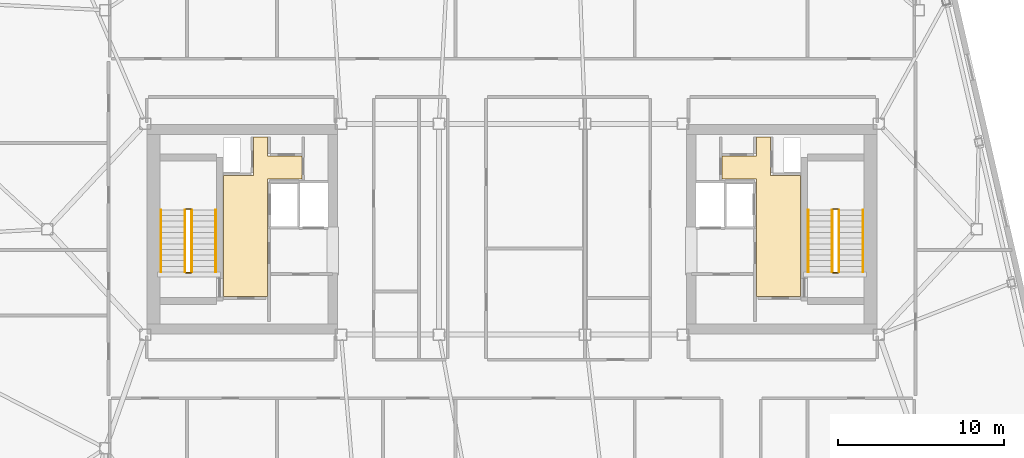
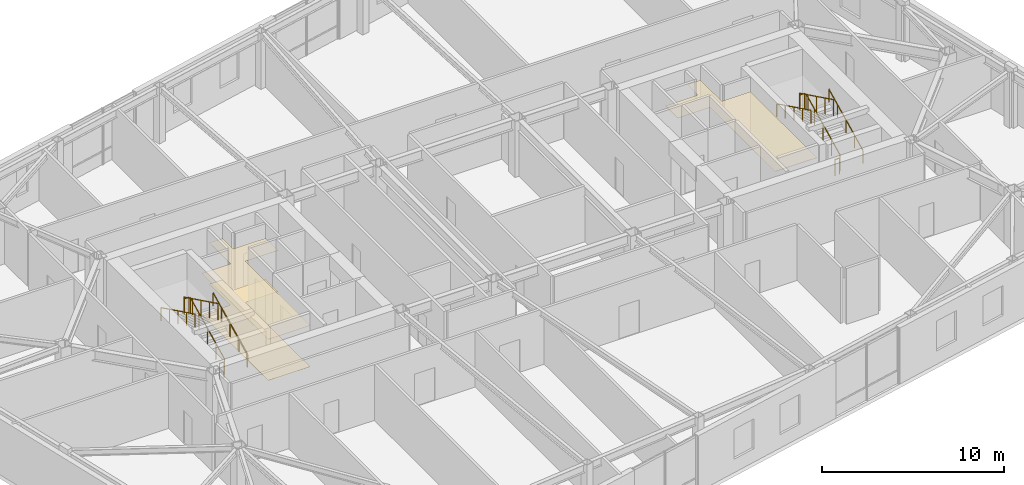
# One storey, part 23 of 23: 12 railings, 3 coverings.
"""IFC4 building model written with IfcOpenShell, lengths in metres."""

from ifc_helpers import new_model, si_unit, direction, frame, origin, origin_2d, place, context, subcontext, project, spatial, polyline, rectangle, outline, extrude, material, layer, layer_set, type_object, element, save


model = new_model("IFC4")

# Units and contexts
model_context = context("Model", 3, precision=1e-05, world=origin(), true_north=direction((0.0, 1.0)))
body_context = subcontext(model_context, "Body", "Model", "MODEL_VIEW")
ifc_project = project(units=[si_unit("LENGTHUNIT", "METRE"), si_unit("AREAUNIT", "SQUARE_METRE"), si_unit("VOLUMEUNIT", "CUBIC_METRE"), si_unit("PLANEANGLEUNIT", "RADIAN"), si_unit("MASSUNIT", "GRAM", prefix="KILO")], contexts=[model_context])

# Site, building, storey
site_placement = place(None, origin())
site = spatial("IfcSite", under=ifc_project, at=site_placement, CompositionType="ELEMENT")
building_placement = place(site_placement, origin())
building = spatial("IfcBuilding", under=site, at=building_placement, Name="Tavrogorsk Clinical Tower", CompositionType="ELEMENT")
storey_placement = place(building_placement, frame((0.0, 0.0, 293.0)))
storey = spatial("IfcBuildingStorey", under=building, at=storey_placement, Name="L68", CompositionType="ELEMENT", Elevation=293.0)

# Coverings
ifc_material_1 = material(Name="Antibacterial micro-perforated aluminium ceiling", Category="aluminium")
ifc_layer_1 = layer(ifc_material_1, 0.014892578125)
ifc_layer_set_1 = layer_set([ifc_layer_1], Name="Antibacterial micro-perforated aluminium ceiling")
covering_type_1 = type_object("IfcCoveringType", Name="ClinicalCeiling_15", PredefinedType="CEILING", material=ifc_layer_set_1)
covering_1_placement = place(storey_placement, frame((0.0, 0.0, 2.75)))
element("IfcCovering", 1, at=covering_1_placement, inside=storey, type_object=covering_type_1, Name="Core West Firefighting Lift Lobby Acoustic Ceiling", PredefinedType="CEILING", context=body_context, shape_type="SweptSolid", body=[
    extrude(outline(polyline([(-17.3798828125, -4.06005859375), (-17.3798828125, 3.239990234375), (-15.56005859375, 3.239990234375), (-15.56005859375, 5.56005859375), (-14.719970703125, 5.56005859375), (-14.719970703125, 4.39990234375), (-12.659912109375, 4.39990234375), (-12.659912109375, 3.0400390625), (-14.719970703125, 3.0400390625), (-14.719970703125, -4.06005859375), (-17.3798828125, -4.06005859375)])), origin(), (0.0, 0.0, 1.0), 0.014892578125),
])
covering_2_placement = place(storey_placement, frame((0.0, 0.0, 2.75)))
element("IfcCovering", 2, at=covering_2_placement, inside=storey, type_object=covering_type_1, Name="Core East Firefighting Lift Lobby Acoustic Ceiling", PredefinedType="CEILING", context=body_context, shape_type="SweptSolid", body=[
    extrude(outline(polyline([(14.719970703125, 3.0400390625), (12.659912109375, 3.0400390625), (12.659912109375, 4.39990234375), (14.719970703125, 4.39990234375), (14.719970703125, 5.56005859375), (15.56005859375, 5.56005859375), (15.56005859375, 3.239990234375), (17.3798828125, 3.239990234375), (17.3798828125, -4.06005859375), (14.719970703125, -4.06005859375), (14.719970703125, 3.0400390625)])), origin(), (0.0, 0.0, 1.0), 0.014892578125),
])
ifc_material_2 = material(Name="Homogeneous medical conductive PVC flooring")
ifc_layer_2 = layer(ifc_material_2, 0.008056640625)
ifc_layer_set_2 = layer_set([ifc_layer_2], Name="Homogeneous medical conductive PVC flooring")
covering_type_2 = type_object("IfcCoveringType", Name="ResilientVinylFloor_8", PredefinedType="FLOORING", material=ifc_layer_set_2)
covering_3_placement = place(storey_placement, origin())
element("IfcCovering", 3, at=covering_3_placement, inside=storey, type_object=covering_type_2, Name="Core West Firefighting Lift Lobby Conductive Vinyl Flooring", PredefinedType="FLOORING", context=body_context, shape_type="SweptSolid", body=[
    extrude(outline(polyline([(-17.3798828125, -4.06005859375), (-17.3798828125, 3.239990234375), (-15.56005859375, 3.239990234375), (-15.56005859375, 5.56005859375), (-14.719970703125, 5.56005859375), (-14.719970703125, 4.39990234375), (-12.659912109375, 4.39990234375), (-12.659912109375, 3.0400390625), (-14.719970703125, 3.0400390625), (-14.719970703125, -4.06005859375), (-17.3798828125, -4.06005859375)])), origin(), (0.0, 0.0, 1.0), 0.008056640625),
])

# Railings
ifc_material_3 = material(Name="Galvanised steel S355 safety stairwell guard", Category="steel")
ifc_layer_3 = layer(ifc_material_3, 0.06005859375)
ifc_layer_set_3 = layer_set([ifc_layer_3], Name="Galvanised steel S355 safety stairwell guard")
railing_type_1 = type_object("IfcRailingType", Name="StairGuard_1150", PredefinedType="GUARDRAIL", material=ifc_layer_set_3)
railing_1_placement = place(storey_placement, frame((-19.300048828125, -2.574951171875, 0.166748046875)))
element("IfcRailing", 4, at=railing_1_placement, inside=storey, type_object=railing_type_1, Name="L68 ST-W stair guard 1", PredefinedType="GUARDRAIL", context=body_context, shape_type="SweptSolid", body=[
    extrude(rectangle(XDim=0.048095703125, YDim=0.048095703125, at=origin_2d()), frame((0.0, 0.0, 1.076171875), z_axis=(0.0, 0.897927990467, 0.440142390523), x_axis=(-1.0, 0.0, 0.0)), (0.0, 0.0, 1.0), 4.1650390625),
    extrude(rectangle(XDim=0.0419921875, YDim=0.0419921875, at=origin_2d()), origin(), (0.0, 0.0, 1.0), 1.052001953125),
    extrude(rectangle(XDim=0.0419921875, YDim=0.0419921875, at=origin_2d()), frame((0.0, 0.93505859375, 0.458251953125)), (0.0, 0.0, 1.0), 1.052001953125),
    extrude(rectangle(XDim=0.0419921875, YDim=0.0419921875, at=origin_2d()), frame((0.0, 1.8701171875, 0.91650390625)), (0.0, 0.0, 1.0), 1.052001953125),
    extrude(rectangle(XDim=0.0419921875, YDim=0.0419921875, at=origin_2d()), frame((0.0, 2.804931640625, 1.375)), (0.0, 0.0, 1.0), 1.052001953125),
    extrude(rectangle(XDim=0.0419921875, YDim=0.0419921875, at=origin_2d()), frame((0.0, 3.739990234375, 1.833251953125)), (0.0, 0.0, 1.0), 1.052001953125),
])
railing_2_placement = place(storey_placement, frame((-19.35009765625, 1.215087890625, 2.0)))
element("IfcRailing", 5, at=railing_2_placement, inside=storey, type_object=railing_type_1, Name="L68 ST-W stair guard 2", PredefinedType="GUARDRAIL", context=body_context, shape_type="SweptSolid", body=[
    extrude(rectangle(XDim=0.048095703125, YDim=0.048095703125, at=origin_2d()), frame((0.0, 0.0, 1.076171875), z_axis=(-1.0, 0.0, 0.0), x_axis=(0.0, -1.0, 0.0)), (0.0, 0.0, 1.0), 0.2998046875),
    extrude(rectangle(XDim=0.0419921875, YDim=0.0419921875, at=origin_2d()), origin(), (0.0, 0.0, 1.0), 1.052001953125),
    extrude(rectangle(XDim=0.0419921875, YDim=0.0419921875, at=origin_2d()), frame((-0.2998046875, 0.0, 0.0)), (0.0, 0.0, 1.0), 1.052001953125),
])
railing_3_placement = place(storey_placement, frame((-19.699951171875, 1.1650390625, 2.166748046875)))
element("IfcRailing", 6, at=railing_3_placement, inside=storey, type_object=railing_type_1, Name="L68 ST-W stair guard 3", PredefinedType="GUARDRAIL", context=body_context, shape_type="SweptSolid", body=[
    extrude(rectangle(XDim=0.048095703125, YDim=0.048095703125, at=origin_2d()), frame((0.0, 0.0, 1.076171875), z_axis=(0.0, -0.897927990467, 0.440142390523), x_axis=(1.0, 0.0, 0.0)), (0.0, 0.0, 1.0), 4.1650390625),
    extrude(rectangle(XDim=0.0419921875, YDim=0.0419921875, at=origin_2d()), origin(), (0.0, 0.0, 1.0), 1.052001953125),
    extrude(rectangle(XDim=0.0419921875, YDim=0.0419921875, at=origin_2d()), frame((0.0, -0.93505859375, 0.458251953125)), (0.0, 0.0, 1.0), 1.052001953125),
    extrude(rectangle(XDim=0.0419921875, YDim=0.0419921875, at=origin_2d()), frame((0.0, -1.8701171875, 0.91650390625)), (0.0, 0.0, 1.0), 1.052001953125),
    extrude(rectangle(XDim=0.0419921875, YDim=0.0419921875, at=origin_2d()), frame((0.0, -2.804931640625, 1.375)), (0.0, 0.0, 1.0), 1.052001953125),
    extrude(rectangle(XDim=0.0419921875, YDim=0.0419921875, at=origin_2d()), frame((0.0, -3.739990234375, 1.833251953125)), (0.0, 0.0, 1.0), 1.052001953125),
])
railing_4_placement = place(storey_placement, frame((-19.35009765625, -2.625, 0.0)))
element("IfcRailing", 7, at=railing_4_placement, inside=storey, type_object=railing_type_1, Name="L68 ST-W stair guard 4", PredefinedType="GUARDRAIL", context=body_context, shape_type="SweptSolid", body=[
    extrude(rectangle(XDim=0.048095703125, YDim=0.048095703125, at=origin_2d()), frame((0.0, 0.0, 1.076171875), z_axis=(-1.0, 0.0, 0.0), x_axis=(0.0, -1.0, 0.0)), (0.0, 0.0, 1.0), 0.2998046875),
    extrude(rectangle(XDim=0.0419921875, YDim=0.0419921875, at=origin_2d()), origin(), (0.0, 0.0, 1.0), 1.052001953125),
    extrude(rectangle(XDim=0.0419921875, YDim=0.0419921875, at=origin_2d()), frame((-0.2998046875, 0.0, 0.0)), (0.0, 0.0, 1.0), 1.052001953125),
])
railing_5_placement = place(storey_placement, frame((19.699951171875, -2.574951171875, 0.166748046875)))
element("IfcRailing", 8, at=railing_5_placement, inside=storey, type_object=railing_type_1, Name="L68 ST-E stair guard 1", PredefinedType="GUARDRAIL", context=body_context, shape_type="SweptSolid", body=[
    extrude(rectangle(XDim=0.048095703125, YDim=0.048095703125, at=origin_2d()), frame((0.0, 0.0, 1.076171875), z_axis=(0.0, 0.897927990467, 0.440142390523), x_axis=(-1.0, 0.0, 0.0)), (0.0, 0.0, 1.0), 4.1650390625),
    extrude(rectangle(XDim=0.0419921875, YDim=0.0419921875, at=origin_2d()), origin(), (0.0, 0.0, 1.0), 1.052001953125),
    extrude(rectangle(XDim=0.0419921875, YDim=0.0419921875, at=origin_2d()), frame((0.0, 0.93505859375, 0.458251953125)), (0.0, 0.0, 1.0), 1.052001953125),
    extrude(rectangle(XDim=0.0419921875, YDim=0.0419921875, at=origin_2d()), frame((0.0, 1.8701171875, 0.91650390625)), (0.0, 0.0, 1.0), 1.052001953125),
    extrude(rectangle(XDim=0.0419921875, YDim=0.0419921875, at=origin_2d()), frame((0.0, 2.804931640625, 1.375)), (0.0, 0.0, 1.0), 1.052001953125),
    extrude(rectangle(XDim=0.0419921875, YDim=0.0419921875, at=origin_2d()), frame((0.0, 3.739990234375, 1.833251953125)), (0.0, 0.0, 1.0), 1.052001953125),
])
railing_6_placement = place(storey_placement, frame((19.64990234375, 1.215087890625, 2.0)))
element("IfcRailing", 9, at=railing_6_placement, inside=storey, type_object=railing_type_1, Name="L68 ST-E stair guard 2", PredefinedType="GUARDRAIL", context=body_context, shape_type="SweptSolid", body=[
    extrude(rectangle(XDim=0.048095703125, YDim=0.048095703125, at=origin_2d()), frame((0.0, 0.0, 1.076171875), z_axis=(-1.0, 0.0, 0.0), x_axis=(0.0, -1.0, 0.0)), (0.0, 0.0, 1.0), 0.2998046875),
    extrude(rectangle(XDim=0.0419921875, YDim=0.0419921875, at=origin_2d()), origin(), (0.0, 0.0, 1.0), 1.052001953125),
    extrude(rectangle(XDim=0.0419921875, YDim=0.0419921875, at=origin_2d()), frame((-0.2998046875, 0.0, 0.0)), (0.0, 0.0, 1.0), 1.052001953125),
])
railing_7_placement = place(storey_placement, frame((19.300048828125, 1.1650390625, 2.166748046875)))
element("IfcRailing", 10, at=railing_7_placement, inside=storey, type_object=railing_type_1, Name="L68 ST-E stair guard 3", PredefinedType="GUARDRAIL", context=body_context, shape_type="SweptSolid", body=[
    extrude(rectangle(XDim=0.048095703125, YDim=0.048095703125, at=origin_2d()), frame((0.0, 0.0, 1.076171875), z_axis=(0.0, -0.897927990467, 0.440142390523), x_axis=(1.0, 0.0, 0.0)), (0.0, 0.0, 1.0), 4.1650390625),
    extrude(rectangle(XDim=0.0419921875, YDim=0.0419921875, at=origin_2d()), origin(), (0.0, 0.0, 1.0), 1.052001953125),
    extrude(rectangle(XDim=0.0419921875, YDim=0.0419921875, at=origin_2d()), frame((0.0, -0.93505859375, 0.458251953125)), (0.0, 0.0, 1.0), 1.052001953125),
    extrude(rectangle(XDim=0.0419921875, YDim=0.0419921875, at=origin_2d()), frame((0.0, -1.8701171875, 0.91650390625)), (0.0, 0.0, 1.0), 1.052001953125),
    extrude(rectangle(XDim=0.0419921875, YDim=0.0419921875, at=origin_2d()), frame((0.0, -2.804931640625, 1.375)), (0.0, 0.0, 1.0), 1.052001953125),
    extrude(rectangle(XDim=0.0419921875, YDim=0.0419921875, at=origin_2d()), frame((0.0, -3.739990234375, 1.833251953125)), (0.0, 0.0, 1.0), 1.052001953125),
])
railing_8_placement = place(storey_placement, frame((19.64990234375, -2.625, 0.0)))
element("IfcRailing", 11, at=railing_8_placement, inside=storey, type_object=railing_type_1, Name="L68 ST-E stair guard 4", PredefinedType="GUARDRAIL", context=body_context, shape_type="SweptSolid", body=[
    extrude(rectangle(XDim=0.048095703125, YDim=0.048095703125, at=origin_2d()), frame((0.0, 0.0, 1.076171875), z_axis=(-1.0, 0.0, 0.0), x_axis=(0.0, -1.0, 0.0)), (0.0, 0.0, 1.0), 0.2998046875),
    extrude(rectangle(XDim=0.0419921875, YDim=0.0419921875, at=origin_2d()), origin(), (0.0, 0.0, 1.0), 1.052001953125),
    extrude(rectangle(XDim=0.0419921875, YDim=0.0419921875, at=origin_2d()), frame((-0.2998046875, 0.0, 0.0)), (0.0, 0.0, 1.0), 1.052001953125),
])
ifc_material_4 = material(Name="Stainless steel AISI 304 tubular handrail", Category="steel")
ifc_layer_4 = layer(ifc_material_4, 0.050048828125)
ifc_layer_set_4 = layer_set([ifc_layer_4], Name="Stainless steel AISI 304 tubular handrail")
railing_type_2 = type_object("IfcRailingType", Name="StairHandrail_920", PredefinedType="HANDRAIL", material=ifc_layer_set_4)
railing_9_placement = place(storey_placement, frame((-17.85009765625, -2.574951171875, 0.166748046875)))
element("IfcRailing", 12, at=railing_9_placement, inside=storey, type_object=railing_type_2, Name="L68 ST-W stair handrail 1", PredefinedType="HANDRAIL", context=body_context, shape_type="SweptSolid", body=[
    extrude(rectangle(XDim=0.048095703125, YDim=0.048095703125, at=origin_2d()), frame((0.0, 0.0, 0.8759765625), z_axis=(0.0, 0.897927990467, 0.440142390523), x_axis=(-1.0, 0.0, 0.0)), (0.0, 0.0, 1.0), 4.1650390625),
    extrude(rectangle(XDim=0.0419921875, YDim=0.0419921875, at=origin_2d()), origin(), (0.0, 0.0, 1.0), 0.851806640625),
    extrude(rectangle(XDim=0.0419921875, YDim=0.0419921875, at=origin_2d()), frame((0.0, 0.93505859375, 0.458251953125)), (0.0, 0.0, 1.0), 0.851806640625),
    extrude(rectangle(XDim=0.0419921875, YDim=0.0419921875, at=origin_2d()), frame((0.0, 1.8701171875, 0.91650390625)), (0.0, 0.0, 1.0), 0.851806640625),
    extrude(rectangle(XDim=0.0419921875, YDim=0.0419921875, at=origin_2d()), frame((0.0, 2.804931640625, 1.375)), (0.0, 0.0, 1.0), 0.851806640625),
    extrude(rectangle(XDim=0.0419921875, YDim=0.0419921875, at=origin_2d()), frame((0.0, 3.739990234375, 1.833251953125)), (0.0, 0.0, 1.0), 0.851806640625),
])
railing_10_placement = place(storey_placement, frame((-21.14990234375, 1.1650390625, 2.166748046875)))
element("IfcRailing", 13, at=railing_10_placement, inside=storey, type_object=railing_type_2, Name="L68 ST-W stair handrail 2", PredefinedType="HANDRAIL", context=body_context, shape_type="SweptSolid", body=[
    extrude(rectangle(XDim=0.048095703125, YDim=0.048095703125, at=origin_2d()), frame((0.0, 0.0, 0.8759765625), z_axis=(0.0, -0.897927990467, 0.440142390523), x_axis=(1.0, 0.0, 0.0)), (0.0, 0.0, 1.0), 4.1650390625),
    extrude(rectangle(XDim=0.0419921875, YDim=0.0419921875, at=origin_2d()), origin(), (0.0, 0.0, 1.0), 0.851806640625),
    extrude(rectangle(XDim=0.0419921875, YDim=0.0419921875, at=origin_2d()), frame((0.0, -0.93505859375, 0.458251953125)), (0.0, 0.0, 1.0), 0.851806640625),
    extrude(rectangle(XDim=0.0419921875, YDim=0.0419921875, at=origin_2d()), frame((0.0, -1.8701171875, 0.91650390625)), (0.0, 0.0, 1.0), 0.851806640625),
    extrude(rectangle(XDim=0.0419921875, YDim=0.0419921875, at=origin_2d()), frame((0.0, -2.804931640625, 1.375)), (0.0, 0.0, 1.0), 0.851806640625),
    extrude(rectangle(XDim=0.0419921875, YDim=0.0419921875, at=origin_2d()), frame((0.0, -3.739990234375, 1.833251953125)), (0.0, 0.0, 1.0), 0.851806640625),
])
railing_11_placement = place(storey_placement, frame((21.14990234375, -2.574951171875, 0.166748046875)))
element("IfcRailing", 14, at=railing_11_placement, inside=storey, type_object=railing_type_2, Name="L68 ST-E stair handrail 1", PredefinedType="HANDRAIL", context=body_context, shape_type="SweptSolid", body=[
    extrude(rectangle(XDim=0.048095703125, YDim=0.048095703125, at=origin_2d()), frame((0.0, 0.0, 0.8759765625), z_axis=(0.0, 0.897927990467, 0.440142390523), x_axis=(-1.0, 0.0, 0.0)), (0.0, 0.0, 1.0), 4.1650390625),
    extrude(rectangle(XDim=0.0419921875, YDim=0.0419921875, at=origin_2d()), origin(), (0.0, 0.0, 1.0), 0.851806640625),
    extrude(rectangle(XDim=0.0419921875, YDim=0.0419921875, at=origin_2d()), frame((0.0, 0.93505859375, 0.458251953125)), (0.0, 0.0, 1.0), 0.851806640625),
    extrude(rectangle(XDim=0.0419921875, YDim=0.0419921875, at=origin_2d()), frame((0.0, 1.8701171875, 0.91650390625)), (0.0, 0.0, 1.0), 0.851806640625),
    extrude(rectangle(XDim=0.0419921875, YDim=0.0419921875, at=origin_2d()), frame((0.0, 2.804931640625, 1.375)), (0.0, 0.0, 1.0), 0.851806640625),
    extrude(rectangle(XDim=0.0419921875, YDim=0.0419921875, at=origin_2d()), frame((0.0, 3.739990234375, 1.833251953125)), (0.0, 0.0, 1.0), 0.851806640625),
])
railing_12_placement = place(storey_placement, frame((17.85009765625, 1.1650390625, 2.166748046875)))
element("IfcRailing", 15, at=railing_12_placement, inside=storey, type_object=railing_type_2, Name="L68 ST-E stair handrail 2", PredefinedType="HANDRAIL", context=body_context, shape_type="SweptSolid", body=[
    extrude(rectangle(XDim=0.048095703125, YDim=0.048095703125, at=origin_2d()), frame((0.0, 0.0, 0.8759765625), z_axis=(0.0, -0.897927990467, 0.440142390523), x_axis=(1.0, 0.0, 0.0)), (0.0, 0.0, 1.0), 4.1650390625),
    extrude(rectangle(XDim=0.0419921875, YDim=0.0419921875, at=origin_2d()), origin(), (0.0, 0.0, 1.0), 0.851806640625),
    extrude(rectangle(XDim=0.0419921875, YDim=0.0419921875, at=origin_2d()), frame((0.0, -0.93505859375, 0.458251953125)), (0.0, 0.0, 1.0), 0.851806640625),
    extrude(rectangle(XDim=0.0419921875, YDim=0.0419921875, at=origin_2d()), frame((0.0, -1.8701171875, 0.91650390625)), (0.0, 0.0, 1.0), 0.851806640625),
    extrude(rectangle(XDim=0.0419921875, YDim=0.0419921875, at=origin_2d()), frame((0.0, -2.804931640625, 1.375)), (0.0, 0.0, 1.0), 0.851806640625),
    extrude(rectangle(XDim=0.0419921875, YDim=0.0419921875, at=origin_2d()), frame((0.0, -3.739990234375, 1.833251953125)), (0.0, 0.0, 1.0), 0.851806640625),
])

save(model, "model.ifc")
